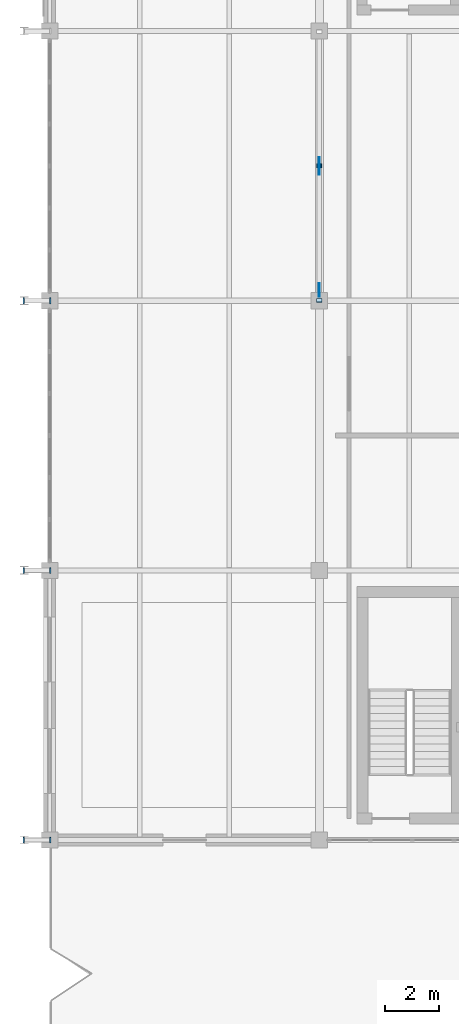
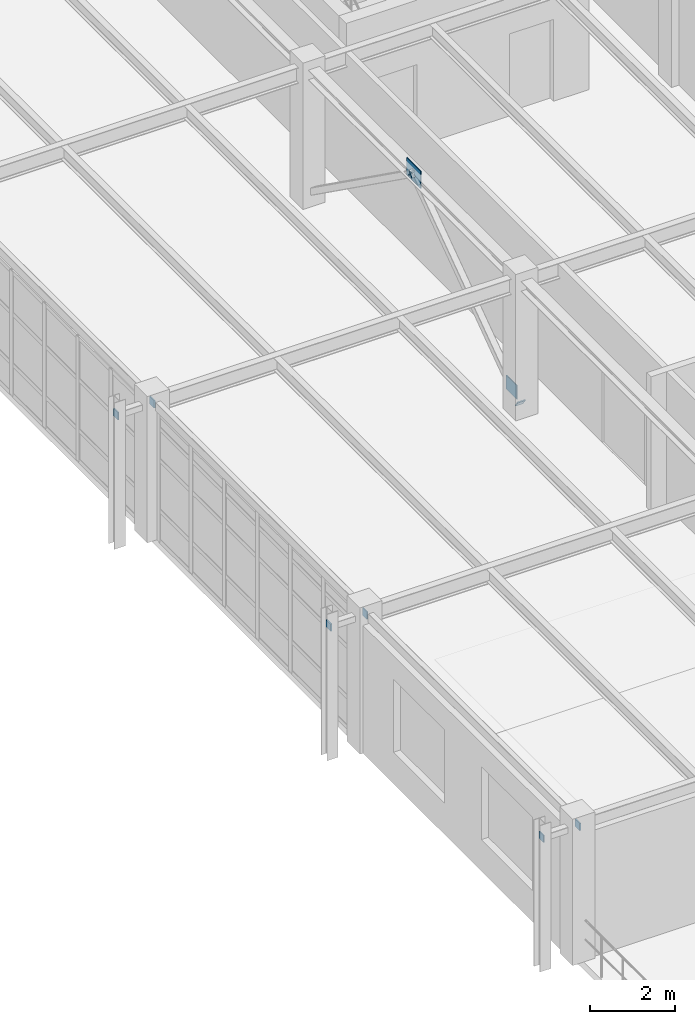
# One storey, part 96 of 122: 11 plates.
"""IFC4 building model written with IfcOpenShell, lengths in metres."""

from ifc_helpers import new_model, si_unit, direction, frame, origin, origin_2d, place, context, subcontext, project, spatial, rectangle, extrude, material, layer, layer_set, type_object, element, save


model = new_model("IFC4")

# Units and contexts
model_context = context("Model", 3, precision=1e-05, world=origin(), true_north=direction((0.0, 1.0)))
body_context = subcontext(model_context, "Body", "Model", "MODEL_VIEW")
ifc_project = project(units=[si_unit("LENGTHUNIT", "METRE"), si_unit("AREAUNIT", "SQUARE_METRE"), si_unit("VOLUMEUNIT", "CUBIC_METRE"), si_unit("PLANEANGLEUNIT", "RADIAN"), si_unit("MASSUNIT", "GRAM", prefix="KILO"), si_unit("THERMODYNAMICTEMPERATUREUNIT", "KELVIN"), si_unit("POWERUNIT", "WATT")], contexts=[model_context])

# Site, building, storey
site_placement = place(None, origin())
site = spatial("IfcSite", under=ifc_project, at=site_placement, CompositionType="ELEMENT")
building_placement = place(site_placement, origin())
building = spatial("IfcBuilding", under=site, at=building_placement, Name="Korenveer Ferry Terminal", CompositionType="ELEMENT")
storey_placement = place(building_placement, frame((0.0, 0.0, 10.199951171875)))
storey = spatial("IfcBuildingStorey", under=building, at=storey_placement, Name="L02", CompositionType="ELEMENT", Elevation=10.199951171875)

# Plates
ifc_material = material(Name="Steel S355", Category="steel")
ifc_layer_1 = layer(ifc_material, 0.031982421875)
ifc_layer_set_1 = layer_set([ifc_layer_1], Name="Steel S355")
plate_type_1 = type_object("IfcPlateType", Name="STR-PLT-CAP32", PredefinedType="USERDEFINED", material=ifc_layer_set_1)
for number, where, z_axis, x_axis, name in (
    (1, (-0.98193359375, 20.0, 3.75), (1.0, 0.0, 0.0), (0.0, 1.0, 0.0), "Hollow section end cap 81"),
    (2, (0.0, 20.0, 3.75), (1.0, 0.0, 0.0), (0.0, 1.0, 0.0), "Hollow section end cap 82"),
    (3, (-0.98193359375, 30.0, 3.75), (1.0, 0.0, 0.0), (0.0, 1.0, 0.0), "Hollow section end cap 87"),
    (4, (0.0, 30.0, 3.75), (1.0, 0.0, 0.0), (0.0, 1.0, 0.0), "Hollow section end cap 88"),
    (5, (-0.98193359375, 40.0, 3.75), (1.0, 0.0, 0.0), (0.0, 1.0, 0.0), "Hollow section end cap 93"),
    (6, (0.0, 40.0, 3.75), (1.0, 0.0, 0.0), (0.0, 1.0, 0.0), "Hollow section end cap 94"),
    (7, (10.0, 39.994140625, 0.221435546875), (0.0, 0.813512660964, 0.581547203975), (-1.0, 0.0, 0.0), "Hollow section end cap 610"),
    (8, (10.0, 45.0, 3.800048828125), (0.0, 0.813512660964, 0.581547203975), (-1.0, 0.0, 0.0), "Hollow section end cap 611"),
    (9, (10.0, 44.97412109375, 3.818603515625), (0.0, 0.813512660964, -0.581547203975), (-1.0, 0.0, 0.0), "Hollow section end cap 612"),
):
    element("IfcPlate", number, at=place(storey_placement, frame(where, z_axis=z_axis, x_axis=x_axis)), inside=storey, type_object=plate_type_1, Name=name, ObjectType="END CAP PLATE", PredefinedType="USERDEFINED", context=body_context, shape_type="SweptSolid", body=[
        extrude(rectangle(XDim=0.2099609375, YDim=0.2099609375, at=origin_2d()), origin(), (0.0, 0.0, 1.0), 0.031982421875),
    ])
ifc_layer_2 = layer(ifc_material, 0.02392578125)
ifc_layer_set_2 = layer_set([ifc_layer_2], Name="Steel S355")
plate_type_2 = type_object("IfcPlateType", Name="STR-PLT-GUS24", PredefinedType="USERDEFINED", material=ifc_layer_set_2)
plate_1_placement = place(storey_placement, frame((10.0, 45.0, 3.550048828125), z_axis=(0.0, 0.0, 1.0), x_axis=(1.0, 0.0, 0.0)))
element("IfcPlate", 10, at=plate_1_placement, inside=storey, type_object=plate_type_2, Name="Chevron brace apex gusset 19", ObjectType="GUSSET PLATE", PredefinedType="USERDEFINED", context=body_context, shape_type="SweptSolid", body=[
    extrude(rectangle(XDim=0.02392578125, YDim=0.64990234375, at=origin_2d()), origin(), (0.0, 0.0, 1.0), 0.5),
])
plate_2_placement = place(storey_placement, frame((10.0, 40.39990234375, 0.239990234375), z_axis=(0.0, 0.0, 1.0), x_axis=(1.0, 0.0, 0.0)))
element("IfcPlate", 11, at=plate_2_placement, inside=storey, type_object=plate_type_2, Name="Chevron brace base gusset 20", ObjectType="GUSSET PLATE", PredefinedType="USERDEFINED", context=body_context, shape_type="SweptSolid", body=[
    extrude(rectangle(XDim=0.02392578125, YDim=0.5, at=origin_2d()), origin(), (0.0, 0.0, 1.0), 0.39990234375),
])

save(model, "model.ifc")
